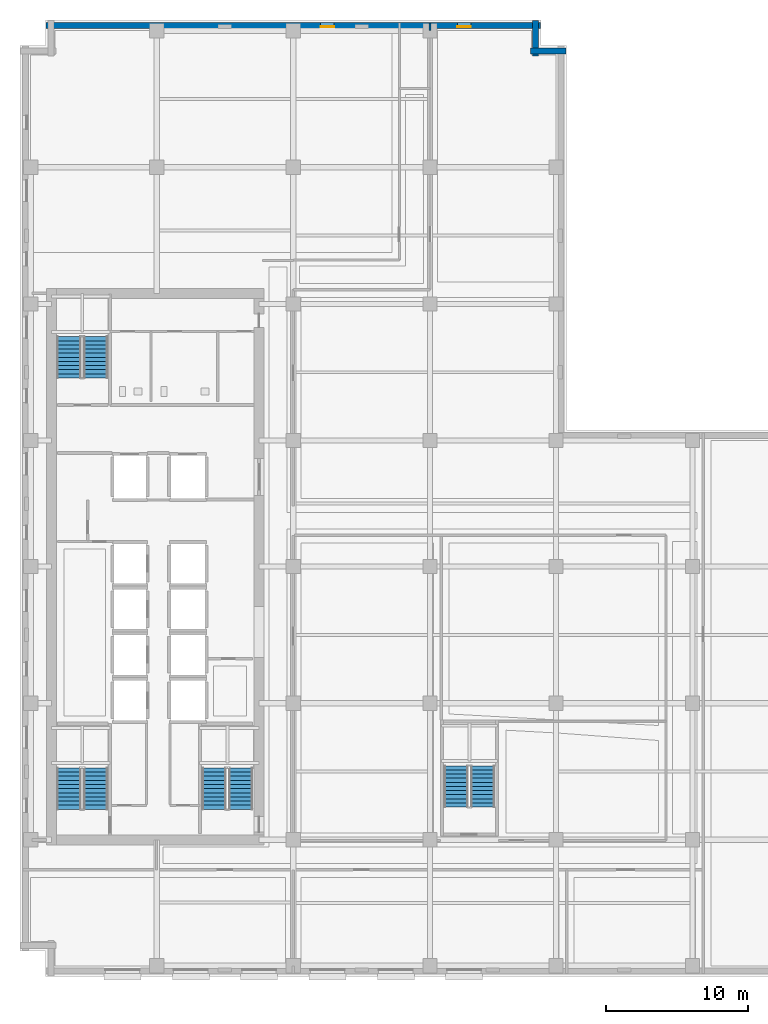
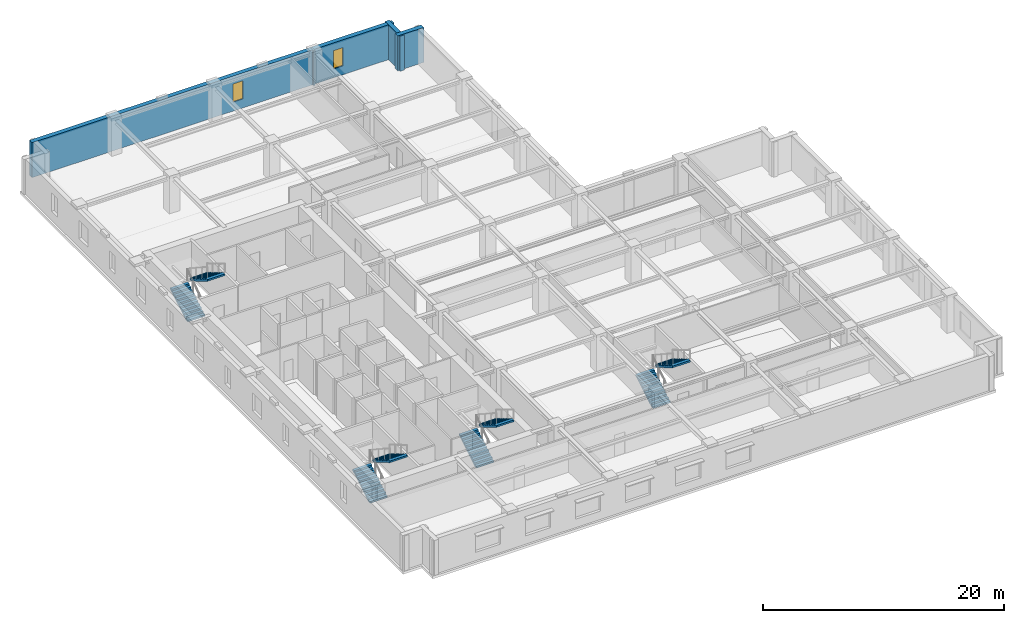
# One storey, part 7 of 12: 8 stair flights, 4 walls, 2 windows, 2 openings, 4 elements without a shape of their own.
"""IFC4 building model written with IfcOpenShell, lengths in metres."""

from ifc_helpers import new_model, si_unit, direction, frame, frame_2d, origin, place, context, subcontext, project, spatial, polyline, rectangle, outline, extrude, material, layer, layer_set, type_object, element, fill, aggregate, save


model = new_model("IFC4")

# Units and contexts
model_context = context("Model", 3, precision=1e-05, world=origin(), true_north=direction((0.0, 1.0)))
body_context = subcontext(model_context, "Body", "Model", "MODEL_VIEW")
ifc_project = project(units=[si_unit("LENGTHUNIT", "METRE"), si_unit("AREAUNIT", "SQUARE_METRE"), si_unit("VOLUMEUNIT", "CUBIC_METRE"), si_unit("PLANEANGLEUNIT", "RADIAN"), si_unit("MASSUNIT", "GRAM", prefix="KILO")], contexts=[model_context])

# Site, building, storey
site_placement = place(None, origin())
site = spatial("IfcSite", under=ifc_project, at=site_placement, CompositionType="ELEMENT")
building_placement = place(site_placement, origin())
building = spatial("IfcBuilding", under=site, at=building_placement, Name="Norrvale University Quadrangle", CompositionType="ELEMENT")
storey_placement = place(building_placement, frame((0.0, 0.0, 105.199951171875)))
storey = spatial("IfcBuildingStorey", under=building, at=storey_placement, Name="L26", CompositionType="ELEMENT", Elevation=105.199951171875)

# Walls
ifc_material_1 = material(Name="Buff Norman Clay Brick Masonry", Category="masonry")
ifc_layer_1 = layer(ifc_material_1, 0.419921875, Name="Buff Norman Clay Brick Masonry")
ifc_layer_set_1 = layer_set([ifc_layer_1], Name="Buff Norman Clay Brick Masonry")
wall_type_1 = type_object("IfcWallType", Name="Wall Buff Brick 420", PredefinedType="SOLIDWALL", material=ifc_layer_set_1)
for number, where, z_axis, x_axis, name in (
    (1, (38.360107421875, 65.010009765625, 0.0), (0.0, 0.0, 1.0), (-1.0, 0.0, 0.0), "Exterior Brick Facade Wall L26-09.1"),
    (2, (36.2099609375, 64.659912109375, 0.0), (0.0, 0.0, 1.0), (0.0, 1.0, 0.0), "Exterior Brick Facade Wall L26-10.1"),
):
    element("IfcWall", number, at=place(storey_placement, frame(where, z_axis=z_axis, x_axis=x_axis)), inside=storey, type_object=wall_type_1, Name=name, PredefinedType="SOLIDWALL", context=body_context, shape_type="SweptSolid", body=[
        extrude(rectangle(XDim=2.5, YDim=0.419921875, at=frame_2d((1.25, 0.0))), origin(), (0.0, 0.0, 1.0), 3.5400390625),
    ])

# Wall, openings, windows
wall_1_placement = place(storey_placement, frame((36.56005859375, 66.81005859375, 0.0), z_axis=(0.0, 0.0, 1.0), x_axis=(-1.0, 0.0, 0.0)))
wall_1 = element("IfcWall", 3, at=wall_1_placement, inside=storey, type_object=wall_type_1, Name="Exterior Brick Facade Wall L26-11.1", PredefinedType="SOLIDWALL", context=body_context, shape_type="SweptSolid", body=[
    extrude(rectangle(XDim=34.719970703125, YDim=0.419921875, at=frame_2d((17.35986328125, 0.0))), origin(), (0.0, 0.0, 1.0), 3.5400390625),
])
opening_1_placement = place(wall_1_placement, frame((4.885009765625, 0.0, 0.89990234375)))
opening_1 = element("IfcOpeningElement", 4, at=opening_1_placement, cuts=wall_1, Name="Opening W04", PredefinedType="OPENING", context=body_context, shape_type="SweptSolid", body=[
    extrude(rectangle(XDim=0.949951171875, YDim=1.85009765625, at=frame_2d((0.47509765625, 0.925048828125))), frame((0.0, 0.221923828125, 0.0), z_axis=(0.0, -1.0, 0.0), x_axis=(1.0, 0.0, 0.0)), (0.0, 0.0, 1.0), 0.44384765625),
])
opening_2_placement = place(wall_1_placement, frame((14.485107421875, 0.0, 0.89990234375)))
opening_2 = element("IfcOpeningElement", 5, at=opening_2_placement, cuts=wall_1, Name="Opening W04", PredefinedType="OPENING", context=body_context, shape_type="SweptSolid", body=[
    extrude(rectangle(XDim=0.949951171875, YDim=1.85009765625, at=frame_2d((0.47509765625, 0.925048828125))), frame((0.0, 0.221923828125, 0.0), z_axis=(0.0, -1.0, 0.0), x_axis=(1.0, 0.0, 0.0)), (0.0, 0.0, 1.0), 0.44384765625),
])
ifc_material_2 = material(Name="Triple Low-E Argon Glazing", Category="glass")
window_type = type_object("IfcWindowType", Name="Window Narrow Pier 950x2300", PartitioningType="SINGLE_PANEL", PredefinedType="WINDOW", material=ifc_material_2)
window_1_placement = place(opening_1_placement, origin())
window_1 = element("IfcWindow", 6, at=window_1_placement, inside=storey, type_object=window_type, Name="Window Narrow Pier 950x2300 WIN-L26-E11-1-01", OverallHeight=1.85009765625, OverallWidth=0.949951171875, PartitioningType="SINGLE_PANEL", PredefinedType="WINDOW", context=body_context, shape_type="SweptSolid", body=[
    extrude(rectangle(XDim=0.949951171875, YDim=1.85009765625, at=frame_2d((0.47509765625, 0.925048828125))), frame((0.0, 0.110107421875, 0.0), z_axis=(0.0, -1.0, 0.0), x_axis=(1.0, 0.0, 0.0)), (0.0, 0.0, 1.0), 0.06005859375),
])
fill(opening_1, window_1)
window_2_placement = place(opening_2_placement, origin())
window_2 = element("IfcWindow", 7, at=window_2_placement, inside=storey, type_object=window_type, Name="Window Narrow Pier 950x2300 WIN-L26-E11-1-02", OverallHeight=1.85009765625, OverallWidth=0.949951171875, PartitioningType="SINGLE_PANEL", PredefinedType="WINDOW", context=body_context, shape_type="SweptSolid", body=[
    extrude(rectangle(XDim=0.949951171875, YDim=1.85009765625, at=frame_2d((0.47509765625, 0.925048828125))), frame((0.0, 0.110107421875, 0.0), z_axis=(0.0, -1.0, 0.0), x_axis=(1.0, 0.0, 0.0)), (0.0, 0.0, 1.0), 0.06005859375),
])
fill(opening_2, window_2)

# Wall
ifc_material_3 = material(Name="Fire-Rated Gypsum Stud Partition")
ifc_layer_2 = layer(ifc_material_3, 0.14990234375, Name="Fire-Rated Gypsum Stud Partition")
ifc_layer_set_2 = layer_set([ifc_layer_2], Name="Fire-Rated Gypsum Stud Partition")
wall_type_2 = type_object("IfcWallType", Name="Wall Gypsum Corridor 150", PredefinedType="PARTITIONING", material=ifc_layer_set_2)
wall_2_placement = place(storey_placement, frame((28.800048828125, 66.449951171875, 0.0), z_axis=(0.0, 0.0, 1.0), x_axis=(0.0, 1.0, 0.0)))
element("IfcWall", 8, at=wall_2_placement, inside=storey, type_object=wall_type_2, Name="Interior Partition WL-L26-NECW-B2", PredefinedType="PARTITIONING", context=body_context, shape_type="SweptSolid", body=[
    extrude(rectangle(XDim=0.530029296875, YDim=0.14990234375, at=frame_2d((0.26513671875, 0.0))), origin(), (0.0, 0.0, 1.0), 3.5400390625),
])

# Stair, stair flights
ifc_material_4 = material(Name="Concrete C40/50", Category="concrete")
stair_type = type_object("IfcStairType", Name="Stair Tower Typ 3800", PredefinedType="TWO_STRAIGHT_RUN_STAIR", material=ifc_material_4)
stair_1_placement = place(storey_placement, origin())
stair_1 = element("IfcStair", 9, at=stair_1_placement, inside=storey, type_object=stair_type, Name="Exit Stair ST-01 L26", PredefinedType="TWO_STRAIGHT_RUN_STAIR")
stair_flight_type = type_object("IfcStairFlightType", Name="Flight Typ 1500", PredefinedType="STRAIGHT", material=ifc_material_4)
stair_flight_1_placement = place(storey_placement, frame((3.429931640625, 11.75, 0.0), z_axis=(0.0, 0.0, 1.0), x_axis=(0.0, 1.0, 0.0)))
stair_flight_1 = element("IfcStairFlight", 10, at=stair_flight_1_placement, type_object=stair_flight_type, Name="Exit Stair ST-01 L26 Lower Flight", NumberOfRisers=11, NumberOfTreads=10, PredefinedType="STRAIGHT", RiserHeight=0.172727, TreadLength=0.29, context=body_context, shape_type="SweptSolid", body=[
    extrude(outline(polyline([(0.0, 0.0), (0.0, 0.172607421875), (0.2900390625, 0.172607421875), (0.2900390625, 0.345458984375), (0.580078125, 0.345458984375), (0.580078125, 0.51806640625), (0.8701171875, 0.51806640625), (0.8701171875, 0.69091796875), (1.159912109375, 0.69091796875), (1.159912109375, 0.863525390625), (1.449951171875, 0.863525390625), (1.449951171875, 1.036376953125), (1.739990234375, 1.036376953125), (1.739990234375, 1.208984375), (2.030029296875, 1.208984375), (2.030029296875, 1.3818359375), (2.320068359375, 1.3818359375), (2.320068359375, 1.554443359375), (2.610107421875, 1.554443359375), (2.610107421875, 1.727294921875), (2.89990234375, 1.727294921875), (2.89990234375, 1.89990234375), (2.89990234375, 1.552734375), (0.29296875, 0.0), (0.0, 0.0)])), frame((0.0, 0.83984375, 0.0), z_axis=(0.0, -1.0, 0.0), x_axis=(1.0, 0.0, 0.0)), (0.0, 0.0, 1.0), 1.679931640625),
])
stair_flight_2_placement = place(storey_placement, frame((5.320068359375, 14.64990234375, 1.900146484375), z_axis=(0.0, 0.0, 1.0), x_axis=(0.0, -1.0, 0.0)))
stair_flight_2 = element("IfcStairFlight", 11, at=stair_flight_2_placement, type_object=stair_flight_type, Name="Exit Stair ST-01 L26 Upper Flight", NumberOfRisers=11, NumberOfTreads=10, PredefinedType="STRAIGHT", RiserHeight=0.172727, TreadLength=0.29, context=body_context, shape_type="SweptSolid", body=[
    extrude(outline(polyline([(0.0, 0.0), (0.0, 0.172607421875), (0.2900390625, 0.172607421875), (0.2900390625, 0.345458984375), (0.580078125, 0.345458984375), (0.580078125, 0.51806640625), (0.8701171875, 0.51806640625), (0.8701171875, 0.69091796875), (1.159912109375, 0.69091796875), (1.159912109375, 0.863525390625), (1.449951171875, 0.863525390625), (1.449951171875, 1.036376953125), (1.739990234375, 1.036376953125), (1.739990234375, 1.208984375), (2.030029296875, 1.208984375), (2.030029296875, 1.3818359375), (2.320068359375, 1.3818359375), (2.320068359375, 1.554443359375), (2.610107421875, 1.554443359375), (2.610107421875, 1.727294921875), (2.89990234375, 1.727294921875), (2.89990234375, 1.89990234375), (2.89990234375, 1.552734375), (0.29296875, 0.0), (0.0, 0.0)])), frame((0.0, 0.83984375, 0.0), z_axis=(0.0, -1.0, 0.0), x_axis=(1.0, 0.0, 0.0)), (0.0, 0.0, 1.0), 1.679931640625),
])
aggregate(stair_1, [stair_flight_1, stair_flight_2])

stair_2_placement = place(storey_placement, origin())
stair_2 = element("IfcStair", 12, at=stair_2_placement, inside=storey, type_object=stair_type, Name="Exit Stair ST-02 L26", PredefinedType="TWO_STRAIGHT_RUN_STAIR")
stair_flight_3_placement = place(storey_placement, frame((3.429931640625, 42.050048828125, 0.0), z_axis=(0.0, 0.0, 1.0), x_axis=(0.0, 1.0, 0.0)))
stair_flight_3 = element("IfcStairFlight", 13, at=stair_flight_3_placement, type_object=stair_flight_type, Name="Exit Stair ST-02 L26 Lower Flight", NumberOfRisers=11, NumberOfTreads=10, PredefinedType="STRAIGHT", RiserHeight=0.172727, TreadLength=0.29, context=body_context, shape_type="SweptSolid", body=[
    extrude(outline(polyline([(0.0, 0.0), (0.0, 0.172607421875), (0.2900390625, 0.172607421875), (0.2900390625, 0.345458984375), (0.580078125, 0.345458984375), (0.580078125, 0.51806640625), (0.8701171875, 0.51806640625), (0.8701171875, 0.69091796875), (1.159912109375, 0.69091796875), (1.159912109375, 0.863525390625), (1.449951171875, 0.863525390625), (1.449951171875, 1.036376953125), (1.739990234375, 1.036376953125), (1.739990234375, 1.208984375), (2.030029296875, 1.208984375), (2.030029296875, 1.3818359375), (2.320068359375, 1.3818359375), (2.320068359375, 1.554443359375), (2.610107421875, 1.554443359375), (2.610107421875, 1.727294921875), (2.89990234375, 1.727294921875), (2.89990234375, 1.89990234375), (2.89990234375, 1.552734375), (0.29296875, 0.0), (0.0, 0.0)])), frame((0.0, 0.83984375, 0.0), z_axis=(0.0, -1.0, 0.0), x_axis=(1.0, 0.0, 0.0)), (0.0, 0.0, 1.0), 1.679931640625),
])
stair_flight_4_placement = place(storey_placement, frame((5.320068359375, 44.949951171875, 1.900146484375), z_axis=(0.0, 0.0, 1.0), x_axis=(0.0, -1.0, 0.0)))
stair_flight_4 = element("IfcStairFlight", 14, at=stair_flight_4_placement, type_object=stair_flight_type, Name="Exit Stair ST-02 L26 Upper Flight", NumberOfRisers=11, NumberOfTreads=10, PredefinedType="STRAIGHT", RiserHeight=0.172727, TreadLength=0.29, context=body_context, shape_type="SweptSolid", body=[
    extrude(outline(polyline([(0.0, 0.0), (0.0, 0.172607421875), (0.2900390625, 0.172607421875), (0.2900390625, 0.345458984375), (0.580078125, 0.345458984375), (0.580078125, 0.51806640625), (0.8701171875, 0.51806640625), (0.8701171875, 0.69091796875), (1.159912109375, 0.69091796875), (1.159912109375, 0.863525390625), (1.449951171875, 0.863525390625), (1.449951171875, 1.036376953125), (1.739990234375, 1.036376953125), (1.739990234375, 1.208984375), (2.030029296875, 1.208984375), (2.030029296875, 1.3818359375), (2.320068359375, 1.3818359375), (2.320068359375, 1.554443359375), (2.610107421875, 1.554443359375), (2.610107421875, 1.727294921875), (2.89990234375, 1.727294921875), (2.89990234375, 1.89990234375), (2.89990234375, 1.552734375), (0.29296875, 0.0), (0.0, 0.0)])), frame((0.0, 0.83984375, 0.0), z_axis=(0.0, -1.0, 0.0), x_axis=(1.0, 0.0, 0.0)), (0.0, 0.0, 1.0), 1.679931640625),
])
aggregate(stair_2, [stair_flight_3, stair_flight_4])

stair_3_placement = place(storey_placement, origin())
stair_3 = element("IfcStair", 15, at=stair_3_placement, inside=storey, type_object=stair_type, Name="Exit Stair ST-03 L26", PredefinedType="TWO_STRAIGHT_RUN_STAIR")
stair_flight_5_placement = place(storey_placement, frame((13.6298828125, 11.75, 0.0), z_axis=(0.0, 0.0, 1.0), x_axis=(0.0, 1.0, 0.0)))
stair_flight_5 = element("IfcStairFlight", 16, at=stair_flight_5_placement, type_object=stair_flight_type, Name="Exit Stair ST-03 L26 Lower Flight", NumberOfRisers=11, NumberOfTreads=10, PredefinedType="STRAIGHT", RiserHeight=0.172727, TreadLength=0.29, context=body_context, shape_type="SweptSolid", body=[
    extrude(outline(polyline([(0.0, 0.0), (0.0, 0.172607421875), (0.2900390625, 0.172607421875), (0.2900390625, 0.345458984375), (0.580078125, 0.345458984375), (0.580078125, 0.51806640625), (0.8701171875, 0.51806640625), (0.8701171875, 0.69091796875), (1.159912109375, 0.69091796875), (1.159912109375, 0.863525390625), (1.449951171875, 0.863525390625), (1.449951171875, 1.036376953125), (1.739990234375, 1.036376953125), (1.739990234375, 1.208984375), (2.030029296875, 1.208984375), (2.030029296875, 1.3818359375), (2.320068359375, 1.3818359375), (2.320068359375, 1.554443359375), (2.610107421875, 1.554443359375), (2.610107421875, 1.727294921875), (2.89990234375, 1.727294921875), (2.89990234375, 1.89990234375), (2.89990234375, 1.552734375), (0.29296875, 0.0), (0.0, 0.0)])), frame((0.0, 0.83984375, 0.0), z_axis=(0.0, -1.0, 0.0), x_axis=(1.0, 0.0, 0.0)), (0.0, 0.0, 1.0), 1.679931640625),
])
stair_flight_6_placement = place(storey_placement, frame((15.52001953125, 14.64990234375, 1.900146484375), z_axis=(0.0, 0.0, 1.0), x_axis=(0.0, -1.0, 0.0)))
stair_flight_6 = element("IfcStairFlight", 17, at=stair_flight_6_placement, type_object=stair_flight_type, Name="Exit Stair ST-03 L26 Upper Flight", NumberOfRisers=11, NumberOfTreads=10, PredefinedType="STRAIGHT", RiserHeight=0.172727, TreadLength=0.29, context=body_context, shape_type="SweptSolid", body=[
    extrude(outline(polyline([(0.0, 0.0), (0.0, 0.172607421875), (0.2900390625, 0.172607421875), (0.2900390625, 0.345458984375), (0.580078125, 0.345458984375), (0.580078125, 0.51806640625), (0.8701171875, 0.51806640625), (0.8701171875, 0.69091796875), (1.159912109375, 0.69091796875), (1.159912109375, 0.863525390625), (1.449951171875, 0.863525390625), (1.449951171875, 1.036376953125), (1.739990234375, 1.036376953125), (1.739990234375, 1.208984375), (2.030029296875, 1.208984375), (2.030029296875, 1.3818359375), (2.320068359375, 1.3818359375), (2.320068359375, 1.554443359375), (2.610107421875, 1.554443359375), (2.610107421875, 1.727294921875), (2.89990234375, 1.727294921875), (2.89990234375, 1.89990234375), (2.89990234375, 1.552734375), (0.29296875, 0.0), (0.0, 0.0)])), frame((0.0, 0.83984375, 0.0), z_axis=(0.0, -1.0, 0.0), x_axis=(1.0, 0.0, 0.0)), (0.0, 0.0, 1.0), 1.679931640625),
])
aggregate(stair_3, [stair_flight_5, stair_flight_6])

stair_4_placement = place(storey_placement, origin())
stair_4 = element("IfcStair", 18, at=stair_4_placement, inside=storey, type_object=stair_type, Name="Exit Stair ST-04 L26", PredefinedType="TWO_STRAIGHT_RUN_STAIR")
stair_flight_7_placement = place(storey_placement, frame((30.6298828125, 11.89990234375, 0.0), z_axis=(0.0, 0.0, 1.0), x_axis=(0.0, 1.0, 0.0)))
stair_flight_7 = element("IfcStairFlight", 19, at=stair_flight_7_placement, type_object=stair_flight_type, Name="Exit Stair ST-04 L26 Lower Flight", NumberOfRisers=11, NumberOfTreads=10, PredefinedType="STRAIGHT", RiserHeight=0.172727, TreadLength=0.29, context=body_context, shape_type="SweptSolid", body=[
    extrude(outline(polyline([(0.0, 0.0), (0.0, 0.172607421875), (0.2900390625, 0.172607421875), (0.2900390625, 0.345458984375), (0.580078125, 0.345458984375), (0.580078125, 0.51806640625), (0.8701171875, 0.51806640625), (0.8701171875, 0.69091796875), (1.159912109375, 0.69091796875), (1.159912109375, 0.863525390625), (1.449951171875, 0.863525390625), (1.449951171875, 1.036376953125), (1.739990234375, 1.036376953125), (1.739990234375, 1.208984375), (2.030029296875, 1.208984375), (2.030029296875, 1.3818359375), (2.320068359375, 1.3818359375), (2.320068359375, 1.554443359375), (2.610107421875, 1.554443359375), (2.610107421875, 1.727294921875), (2.89990234375, 1.727294921875), (2.89990234375, 1.89990234375), (2.89990234375, 1.552734375), (0.29296875, 0.0), (0.0, 0.0)])), frame((0.0, 0.83984375, 0.0), z_axis=(0.0, -1.0, 0.0), x_axis=(1.0, 0.0, 0.0)), (0.0, 0.0, 1.0), 1.679931640625),
])
stair_flight_8_placement = place(storey_placement, frame((32.52001953125, 14.800048828125, 1.900146484375), z_axis=(0.0, 0.0, 1.0), x_axis=(0.0, -1.0, 0.0)))
stair_flight_8 = element("IfcStairFlight", 20, at=stair_flight_8_placement, type_object=stair_flight_type, Name="Exit Stair ST-04 L26 Upper Flight", NumberOfRisers=11, NumberOfTreads=10, PredefinedType="STRAIGHT", RiserHeight=0.172727, TreadLength=0.29, context=body_context, shape_type="SweptSolid", body=[
    extrude(outline(polyline([(0.0, 0.0), (0.0, 0.172607421875), (0.2900390625, 0.172607421875), (0.2900390625, 0.345458984375), (0.580078125, 0.345458984375), (0.580078125, 0.51806640625), (0.8701171875, 0.51806640625), (0.8701171875, 0.69091796875), (1.159912109375, 0.69091796875), (1.159912109375, 0.863525390625), (1.449951171875, 0.863525390625), (1.449951171875, 1.036376953125), (1.739990234375, 1.036376953125), (1.739990234375, 1.208984375), (2.030029296875, 1.208984375), (2.030029296875, 1.3818359375), (2.320068359375, 1.3818359375), (2.320068359375, 1.554443359375), (2.610107421875, 1.554443359375), (2.610107421875, 1.727294921875), (2.89990234375, 1.727294921875), (2.89990234375, 1.89990234375), (2.89990234375, 1.552734375), (0.29296875, 0.0), (0.0, 0.0)])), frame((0.0, 0.83984375, 0.0), z_axis=(0.0, -1.0, 0.0), x_axis=(1.0, 0.0, 0.0)), (0.0, 0.0, 1.0), 1.679931640625),
])
aggregate(stair_4, [stair_flight_7, stair_flight_8])

save(model, "model.ifc")
